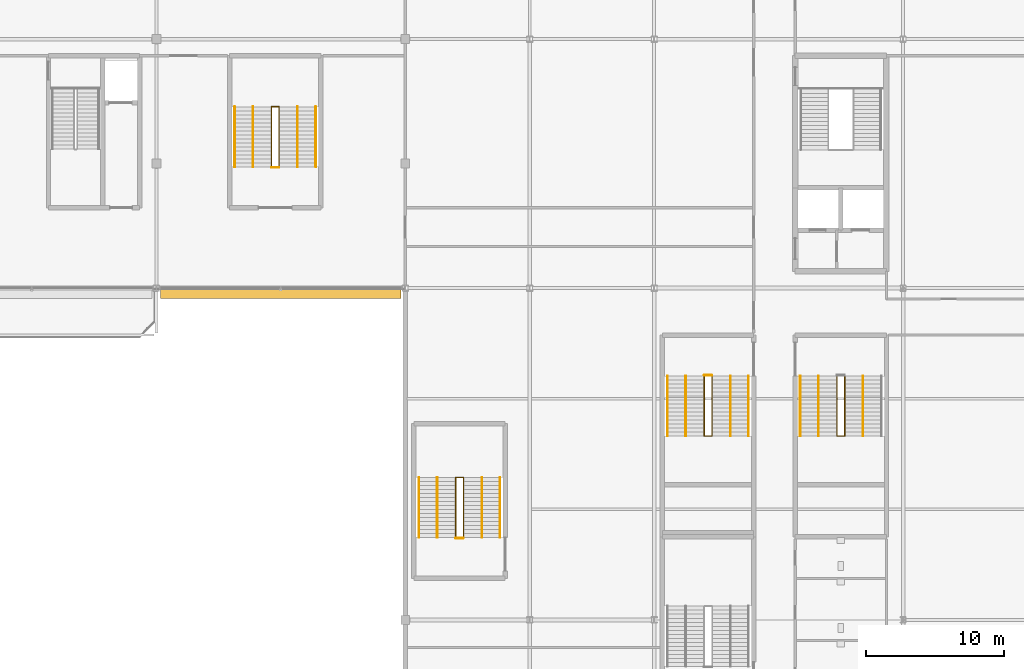
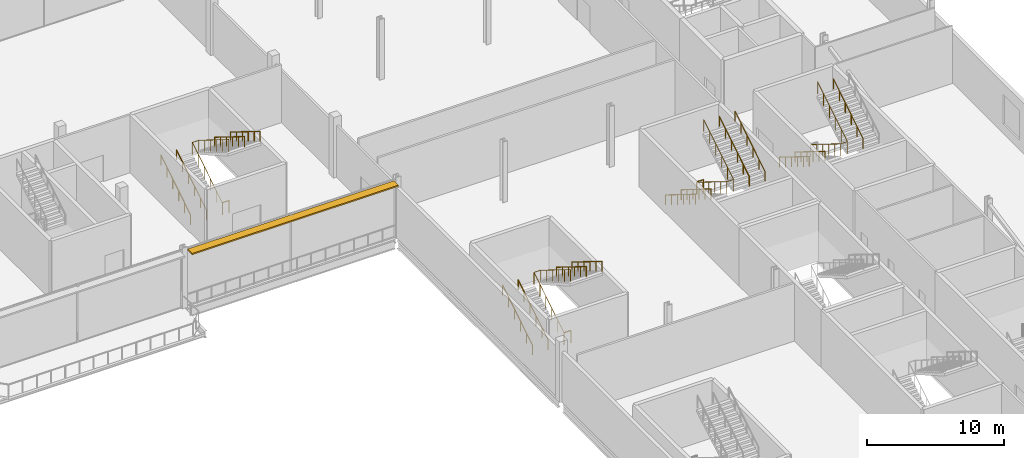
# One storey, part 110 of 113: 22 railings, 1 shading device.
"""IFC4 building model written with IfcOpenShell, lengths in metres."""

from ifc_helpers import new_model, si_unit, direction, frame, origin, origin_2d, place, context, subcontext, project, spatial, rectangle, circle, extrude, material, type_object, element, save


model = new_model("IFC4")

# Units and contexts
model_context = context("Model", 3, precision=1e-05, world=origin(), true_north=direction((0.0, 1.0)))
body_context = subcontext(model_context, "Body", "Model", "MODEL_VIEW")
ifc_project = project(units=[si_unit("LENGTHUNIT", "METRE"), si_unit("AREAUNIT", "SQUARE_METRE"), si_unit("VOLUMEUNIT", "CUBIC_METRE"), si_unit("PLANEANGLEUNIT", "RADIAN"), si_unit("MASSUNIT", "GRAM", prefix="KILO")], contexts=[model_context])

# Site, building, storey
site_placement = place(None, origin())
site = spatial("IfcSite", under=ifc_project, at=site_placement, CompositionType="ELEMENT")
building_placement = place(site_placement, origin())
building = spatial("IfcBuilding", under=site, at=building_placement, Name="Kisiwana Market Hall", CompositionType="ELEMENT")
storey_placement = place(building_placement, frame((0.0, 0.0, 6.0)))
storey = spatial("IfcBuildingStorey", under=building, at=storey_placement, Name="L01", CompositionType="ELEMENT", Elevation=6.0)

# Railings
ifc_material_1 = material(Name="Steel S275", Category="steel")
railing_type_1 = type_object("IfcRailingType", Name="RL-GUARD-1100", PredefinedType="GUARDRAIL", material=ifc_material_1)
railing_1_placement = place(storey_placement, frame((184.219970703125, 77.639892578125, 0.0)))
element("IfcRailing", 1, at=railing_1_placement, inside=storey, type_object=railing_type_1, Name="Stair ST-E4-L01 inner-well guardrail (RL-361)", PredefinedType="GUARDRAIL", context=body_context, shape_type="SweptSolid", body=[
    extrude(circle(Radius=0.02392578125, at=origin_2d()), frame((0.0, 0.0, 1.076171875), z_axis=(0.0, -0.849636482215, 0.527368797038), x_axis=(1.0, 0.0, 0.0)), (0.0, 0.0, 1.0), 5.11962890625),
    extrude(circle(Radius=0.02392578125, at=origin_2d()), frame((0.0, -4.349853515625, 3.77587890625), z_axis=(1.0, 0.0, 0.0), x_axis=(0.0, 1.0, 0.0)), (0.0, 0.0, 1.0), 0.56005859375),
    extrude(circle(Radius=0.02392578125, at=origin_2d()), frame((0.56005859375, -4.349853515625, 3.77587890625), z_axis=(0.0, 0.849636482215, 0.527368797038), x_axis=(-1.0, 0.0, 0.0)), (0.0, 0.0, 1.0), 5.11962890625),
    extrude(circle(Radius=0.02099609375, at=origin_2d()), origin(), (0.0, 0.0, 1.0), 1.052001953125),
    extrude(circle(Radius=0.02099609375, at=origin_2d()), frame((0.0, -0.869873046875, 0.5400390625)), (0.0, 0.0, 1.0), 1.052001953125),
    extrude(circle(Radius=0.02099609375, at=origin_2d()), frame((0.0, -1.739990234375, 1.080078125)), (0.0, 0.0, 1.0), 1.052001953125),
    extrude(circle(Radius=0.02099609375, at=origin_2d()), frame((0.0, -2.60986328125, 1.619873046875)), (0.0, 0.0, 1.0), 1.052001953125),
    extrude(circle(Radius=0.02099609375, at=origin_2d()), frame((0.0, -3.47998046875, 2.159912109375)), (0.0, 0.0, 1.0), 1.052001953125),
    extrude(circle(Radius=0.02099609375, at=origin_2d()), frame((0.0, -4.349853515625, 2.699951171875)), (0.0, 0.0, 1.0), 1.052001953125),
    extrude(circle(Radius=0.02099609375, at=origin_2d()), frame((0.56005859375, -4.349853515625, 2.699951171875)), (0.0, 0.0, 1.0), 1.052001953125),
    extrude(circle(Radius=0.02099609375, at=origin_2d()), frame((0.56005859375, -3.47998046875, 3.239990234375)), (0.0, 0.0, 1.0), 1.052001953125),
    extrude(circle(Radius=0.02099609375, at=origin_2d()), frame((0.56005859375, -2.60986328125, 3.780029296875)), (0.0, 0.0, 1.0), 1.052001953125),
    extrude(circle(Radius=0.02099609375, at=origin_2d()), frame((0.56005859375, -1.739990234375, 4.31982421875)), (0.0, 0.0, 1.0), 1.052001953125),
    extrude(circle(Radius=0.02099609375, at=origin_2d()), frame((0.56005859375, -0.869873046875, 4.85986328125)), (0.0, 0.0, 1.0), 1.052001953125),
    extrude(circle(Radius=0.02099609375, at=origin_2d()), frame((0.56005859375, 0.0, 5.39990234375)), (0.0, 0.0, 1.0), 1.052001953125),
])
railing_2_placement = place(storey_placement, frame((174.6201171875, 77.639892578125, 0.0)))
element("IfcRailing", 2, at=railing_2_placement, inside=storey, type_object=railing_type_1, Name="Stair ST-E8-L01 inner-well guardrail (RL-385)", PredefinedType="GUARDRAIL", context=body_context, shape_type="SweptSolid", body=[
    extrude(circle(Radius=0.02392578125, at=origin_2d()), frame((0.0, 0.0, 1.076171875), z_axis=(0.0, -0.849636482215, 0.527368797038), x_axis=(1.0, 0.0, 0.0)), (0.0, 0.0, 1.0), 5.11962890625),
    extrude(circle(Radius=0.02392578125, at=origin_2d()), frame((0.0, -4.349853515625, 3.77587890625), z_axis=(1.0, 0.0, 0.0), x_axis=(0.0, 1.0, 0.0)), (0.0, 0.0, 1.0), 0.559814453125),
    extrude(circle(Radius=0.02392578125, at=origin_2d()), frame((0.559814453125, -4.349853515625, 3.77587890625), z_axis=(0.0, 0.849636482215, 0.527368797038), x_axis=(-1.0, 0.0, 0.0)), (0.0, 0.0, 1.0), 5.11962890625),
    extrude(circle(Radius=0.02099609375, at=origin_2d()), origin(), (0.0, 0.0, 1.0), 1.052001953125),
    extrude(circle(Radius=0.02099609375, at=origin_2d()), frame((0.0, -0.869873046875, 0.5400390625)), (0.0, 0.0, 1.0), 1.052001953125),
    extrude(circle(Radius=0.02099609375, at=origin_2d()), frame((0.0, -1.739990234375, 1.080078125)), (0.0, 0.0, 1.0), 1.052001953125),
    extrude(circle(Radius=0.02099609375, at=origin_2d()), frame((0.0, -2.60986328125, 1.619873046875)), (0.0, 0.0, 1.0), 1.052001953125),
    extrude(circle(Radius=0.02099609375, at=origin_2d()), frame((0.0, -3.47998046875, 2.159912109375)), (0.0, 0.0, 1.0), 1.052001953125),
    extrude(circle(Radius=0.02099609375, at=origin_2d()), frame((0.0, -4.349853515625, 2.699951171875)), (0.0, 0.0, 1.0), 1.052001953125),
    extrude(circle(Radius=0.02099609375, at=origin_2d()), frame((0.559814453125, -4.349853515625, 2.699951171875)), (0.0, 0.0, 1.0), 1.052001953125),
    extrude(circle(Radius=0.02099609375, at=origin_2d()), frame((0.559814453125, -3.47998046875, 3.239990234375)), (0.0, 0.0, 1.0), 1.052001953125),
    extrude(circle(Radius=0.02099609375, at=origin_2d()), frame((0.559814453125, -2.60986328125, 3.780029296875)), (0.0, 0.0, 1.0), 1.052001953125),
    extrude(circle(Radius=0.02099609375, at=origin_2d()), frame((0.559814453125, -1.739990234375, 4.31982421875)), (0.0, 0.0, 1.0), 1.052001953125),
    extrude(circle(Radius=0.02099609375, at=origin_2d()), frame((0.559814453125, -0.869873046875, 4.85986328125)), (0.0, 0.0, 1.0), 1.052001953125),
    extrude(circle(Radius=0.02099609375, at=origin_2d()), frame((0.559814453125, 0.0, 5.39990234375)), (0.0, 0.0, 1.0), 1.052001953125),
])
railing_3_placement = place(storey_placement, frame((174.6201171875, 77.68994140625, 0.0)))
element("IfcRailing", 3, at=railing_3_placement, inside=storey, type_object=railing_type_1, Name="Stair ST-E8-L01 landing edge guardrail (RL-390)", PredefinedType="GUARDRAIL", context=body_context, shape_type="SweptSolid", body=[
    extrude(circle(Radius=0.02392578125, at=origin_2d()), frame((0.0, 0.0, 1.076171875), z_axis=(1.0, 0.0, 0.0), x_axis=(0.0, 1.0, 0.0)), (0.0, 0.0, 1.0), 0.559814453125),
    extrude(circle(Radius=0.02099609375, at=origin_2d()), origin(), (0.0, 0.0, 1.0), 1.052001953125),
    extrude(circle(Radius=0.02099609375, at=origin_2d()), frame((0.559814453125, 0.0, 0.0)), (0.0, 0.0, 1.0), 1.052001953125),
])
railing_4_placement = place(storey_placement, frame((156.64990234375, 65.9599609375, 0.0)))
element("IfcRailing", 4, at=railing_4_placement, inside=storey, type_object=railing_type_1, Name="Stair ST-E10-L01 inner-well guardrail (RL-409)", PredefinedType="GUARDRAIL", context=body_context, shape_type="SweptSolid", body=[
    extrude(circle(Radius=0.02392578125, at=origin_2d()), frame((0.0, 0.0, 1.076171875), z_axis=(0.0, 0.849649743971, 0.527347430608), x_axis=(-1.0, 0.0, 0.0)), (0.0, 0.0, 1.0), 5.119873046875),
    extrude(circle(Radius=0.02392578125, at=origin_2d()), frame((0.0, 4.35009765625, 3.77587890625), z_axis=(1.0, 0.0, 0.0), x_axis=(0.0, 1.0, 0.0)), (0.0, 0.0, 1.0), 0.56005859375),
    extrude(circle(Radius=0.02392578125, at=origin_2d()), frame((0.56005859375, 4.35009765625, 3.77587890625), z_axis=(0.0, -0.849649743971, 0.527347430608), x_axis=(1.0, 0.0, 0.0)), (0.0, 0.0, 1.0), 5.119873046875),
    extrude(circle(Radius=0.02099609375, at=origin_2d()), origin(), (0.0, 0.0, 1.0), 1.052001953125),
    extrude(circle(Radius=0.02099609375, at=origin_2d()), frame((0.0, 0.8701171875, 0.5400390625)), (0.0, 0.0, 1.0), 1.052001953125),
    extrude(circle(Radius=0.02099609375, at=origin_2d()), frame((0.0, 1.739990234375, 1.080078125)), (0.0, 0.0, 1.0), 1.052001953125),
    extrude(circle(Radius=0.02099609375, at=origin_2d()), frame((0.0, 2.610107421875, 1.619873046875)), (0.0, 0.0, 1.0), 1.052001953125),
    extrude(circle(Radius=0.02099609375, at=origin_2d()), frame((0.0, 3.47998046875, 2.159912109375)), (0.0, 0.0, 1.0), 1.052001953125),
    extrude(circle(Radius=0.02099609375, at=origin_2d()), frame((0.0, 4.35009765625, 2.699951171875)), (0.0, 0.0, 1.0), 1.052001953125),
    extrude(circle(Radius=0.02099609375, at=origin_2d()), frame((0.56005859375, 4.35009765625, 2.699951171875)), (0.0, 0.0, 1.0), 1.052001953125),
    extrude(circle(Radius=0.02099609375, at=origin_2d()), frame((0.56005859375, 3.47998046875, 3.239990234375)), (0.0, 0.0, 1.0), 1.052001953125),
    extrude(circle(Radius=0.02099609375, at=origin_2d()), frame((0.56005859375, 2.610107421875, 3.780029296875)), (0.0, 0.0, 1.0), 1.052001953125),
    extrude(circle(Radius=0.02099609375, at=origin_2d()), frame((0.56005859375, 1.739990234375, 4.31982421875)), (0.0, 0.0, 1.0), 1.052001953125),
    extrude(circle(Radius=0.02099609375, at=origin_2d()), frame((0.56005859375, 0.8701171875, 4.85986328125)), (0.0, 0.0, 1.0), 1.052001953125),
    extrude(circle(Radius=0.02099609375, at=origin_2d()), frame((0.56005859375, 0.0, 5.39990234375)), (0.0, 0.0, 1.0), 1.052001953125),
])
railing_5_placement = place(storey_placement, frame((156.64990234375, 65.909912109375, 0.0)))
element("IfcRailing", 5, at=railing_5_placement, inside=storey, type_object=railing_type_1, Name="Stair ST-E10-L01 landing edge guardrail (RL-414)", PredefinedType="GUARDRAIL", context=body_context, shape_type="SweptSolid", body=[
    extrude(circle(Radius=0.02392578125, at=origin_2d()), frame((0.0, 0.0, 1.076171875), z_axis=(1.0, 0.0, 0.0), x_axis=(0.0, 1.0, 0.0)), (0.0, 0.0, 1.0), 0.56005859375),
    extrude(circle(Radius=0.02099609375, at=origin_2d()), origin(), (0.0, 0.0, 1.0), 1.052001953125),
    extrude(circle(Radius=0.02099609375, at=origin_2d()), frame((0.56005859375, 0.0, 0.0)), (0.0, 0.0, 1.0), 1.052001953125),
])
railing_6_placement = place(storey_placement, frame((143.320068359375, 92.760009765625, 0.0)))
element("IfcRailing", 6, at=railing_6_placement, inside=storey, type_object=railing_type_1, Name="Stair ST-N6-L01 inner-well guardrail (RL-469)", PredefinedType="GUARDRAIL", context=body_context, shape_type="SweptSolid", body=[
    extrude(circle(Radius=0.02392578125, at=origin_2d()), frame((0.0, 0.0, 1.076171875), z_axis=(0.0, 0.849649743971, 0.527347430608), x_axis=(-1.0, 0.0, 0.0)), (0.0, 0.0, 1.0), 5.119873046875),
    extrude(circle(Radius=0.02392578125, at=origin_2d()), frame((0.0, 4.35009765625, 3.77587890625), z_axis=(1.0, 0.0, 0.0), x_axis=(0.0, 1.0, 0.0)), (0.0, 0.0, 1.0), 0.559814453125),
    extrude(circle(Radius=0.02392578125, at=origin_2d()), frame((0.559814453125, 4.35009765625, 3.77587890625), z_axis=(0.0, -0.849649743971, 0.527347430608), x_axis=(1.0, 0.0, 0.0)), (0.0, 0.0, 1.0), 5.119873046875),
    extrude(circle(Radius=0.02099609375, at=origin_2d()), origin(), (0.0, 0.0, 1.0), 1.052001953125),
    extrude(circle(Radius=0.02099609375, at=origin_2d()), frame((0.0, 0.8701171875, 0.5400390625)), (0.0, 0.0, 1.0), 1.052001953125),
    extrude(circle(Radius=0.02099609375, at=origin_2d()), frame((0.0, 1.739990234375, 1.080078125)), (0.0, 0.0, 1.0), 1.052001953125),
    extrude(circle(Radius=0.02099609375, at=origin_2d()), frame((0.0, 2.610107421875, 1.619873046875)), (0.0, 0.0, 1.0), 1.052001953125),
    extrude(circle(Radius=0.02099609375, at=origin_2d()), frame((0.0, 3.47998046875, 2.159912109375)), (0.0, 0.0, 1.0), 1.052001953125),
    extrude(circle(Radius=0.02099609375, at=origin_2d()), frame((0.0, 4.35009765625, 2.699951171875)), (0.0, 0.0, 1.0), 1.052001953125),
    extrude(circle(Radius=0.02099609375, at=origin_2d()), frame((0.559814453125, 4.35009765625, 2.699951171875)), (0.0, 0.0, 1.0), 1.052001953125),
    extrude(circle(Radius=0.02099609375, at=origin_2d()), frame((0.559814453125, 3.47998046875, 3.239990234375)), (0.0, 0.0, 1.0), 1.052001953125),
    extrude(circle(Radius=0.02099609375, at=origin_2d()), frame((0.559814453125, 2.610107421875, 3.780029296875)), (0.0, 0.0, 1.0), 1.052001953125),
    extrude(circle(Radius=0.02099609375, at=origin_2d()), frame((0.559814453125, 1.739990234375, 4.31982421875)), (0.0, 0.0, 1.0), 1.052001953125),
    extrude(circle(Radius=0.02099609375, at=origin_2d()), frame((0.559814453125, 0.8701171875, 4.85986328125)), (0.0, 0.0, 1.0), 1.052001953125),
    extrude(circle(Radius=0.02099609375, at=origin_2d()), frame((0.559814453125, 0.0, 5.39990234375)), (0.0, 0.0, 1.0), 1.052001953125),
])
railing_7_placement = place(storey_placement, frame((143.320068359375, 92.7099609375, 0.0)))
element("IfcRailing", 7, at=railing_7_placement, inside=storey, type_object=railing_type_1, Name="Stair ST-N6-L01 landing edge guardrail (RL-474)", PredefinedType="GUARDRAIL", context=body_context, shape_type="SweptSolid", body=[
    extrude(circle(Radius=0.02392578125, at=origin_2d()), frame((0.0, 0.0, 1.076171875), z_axis=(1.0, 0.0, 0.0), x_axis=(0.0, 1.0, 0.0)), (0.0, 0.0, 1.0), 0.559814453125),
    extrude(circle(Radius=0.02099609375, at=origin_2d()), origin(), (0.0, 0.0, 1.0), 1.052001953125),
    extrude(circle(Radius=0.02099609375, at=origin_2d()), frame((0.559814453125, 0.0, 0.0)), (0.0, 0.0, 1.0), 1.052001953125),
])
ifc_material_2 = material(Name="Steel S275", Category="steel")
railing_type_2 = type_object("IfcRailingType", Name="RL-HAND-900", PredefinedType="HANDRAIL", material=ifc_material_2)
for number, where, name in (
    (8, (181.570068359375, 77.639892578125, 0.0), "Stair ST-E4-L01 flight 1 handrail (RL-362)"),
    (9, (182.889892578125, 77.639892578125, 0.0), "Stair ST-E4-L01 flight 1 intermediate handrail (RL-364)"),
):
    element("IfcRailing", number, at=place(storey_placement, frame(where)), inside=storey, type_object=railing_type_2, Name=name, PredefinedType="HANDRAIL", context=body_context, shape_type="SweptSolid", body=[
        extrude(circle(Radius=0.02392578125, at=origin_2d()), frame((0.0, 0.0, 0.8759765625), z_axis=(0.0, -0.849636482215, 0.527368797038), x_axis=(1.0, 0.0, 0.0)), (0.0, 0.0, 1.0), 5.11962890625),
        extrude(circle(Radius=0.02099609375, at=origin_2d()), origin(), (0.0, 0.0, 1.0), 0.851806640625),
        extrude(circle(Radius=0.02099609375, at=origin_2d()), frame((0.0, -0.869873046875, 0.5400390625)), (0.0, 0.0, 1.0), 0.851806640625),
        extrude(circle(Radius=0.02099609375, at=origin_2d()), frame((0.0, -1.739990234375, 1.080078125)), (0.0, 0.0, 1.0), 0.851806640625),
        extrude(circle(Radius=0.02099609375, at=origin_2d()), frame((0.0, -2.60986328125, 1.619873046875)), (0.0, 0.0, 1.0), 0.851806640625),
        extrude(circle(Radius=0.02099609375, at=origin_2d()), frame((0.0, -3.47998046875, 2.159912109375)), (0.0, 0.0, 1.0), 0.851806640625),
        extrude(circle(Radius=0.02099609375, at=origin_2d()), frame((0.0, -4.349853515625, 2.699951171875)), (0.0, 0.0, 1.0), 0.851806640625),
    ])
railing_8_placement = place(storey_placement, frame((186.110107421875, 73.2900390625, 2.699951171875)))
element("IfcRailing", 10, at=railing_8_placement, inside=storey, type_object=railing_type_2, Name="Stair ST-E4-L01 flight 2 intermediate handrail (RL-365)", PredefinedType="HANDRAIL", context=body_context, shape_type="SweptSolid", body=[
    extrude(circle(Radius=0.02392578125, at=origin_2d()), frame((0.0, 0.0, 0.8759765625), z_axis=(0.0, 0.849636482215, 0.527368797038), x_axis=(-1.0, 0.0, 0.0)), (0.0, 0.0, 1.0), 5.11962890625),
    extrude(circle(Radius=0.02099609375, at=origin_2d()), origin(), (0.0, 0.0, 1.0), 0.851806640625),
    extrude(circle(Radius=0.02099609375, at=origin_2d()), frame((0.0, 0.869873046875, 0.5400390625)), (0.0, 0.0, 1.0), 0.851806640625),
    extrude(circle(Radius=0.02099609375, at=origin_2d()), frame((0.0, 1.739990234375, 1.080078125)), (0.0, 0.0, 1.0), 0.851806640625),
    extrude(circle(Radius=0.02099609375, at=origin_2d()), frame((0.0, 2.60986328125, 1.619873046875)), (0.0, 0.0, 1.0), 0.851806640625),
    extrude(circle(Radius=0.02099609375, at=origin_2d()), frame((0.0, 3.47998046875, 2.159912109375)), (0.0, 0.0, 1.0), 0.851806640625),
    extrude(circle(Radius=0.02099609375, at=origin_2d()), frame((0.0, 4.349853515625, 2.699951171875)), (0.0, 0.0, 1.0), 0.851806640625),
])
railing_9_placement = place(storey_placement, frame((171.969970703125, 77.639892578125, 0.0)))
element("IfcRailing", 11, at=railing_9_placement, inside=storey, type_object=railing_type_2, Name="Stair ST-E8-L01 flight 1 handrail (RL-386)", PredefinedType="HANDRAIL", context=body_context, shape_type="SweptSolid", body=[
    extrude(circle(Radius=0.02392578125, at=origin_2d()), frame((0.0, 0.0, 0.8759765625), z_axis=(0.0, -0.849636482215, 0.527368797038), x_axis=(1.0, 0.0, 0.0)), (0.0, 0.0, 1.0), 5.11962890625),
    extrude(circle(Radius=0.02099609375, at=origin_2d()), origin(), (0.0, 0.0, 1.0), 0.851806640625),
    extrude(circle(Radius=0.02099609375, at=origin_2d()), frame((0.0, -0.869873046875, 0.5400390625)), (0.0, 0.0, 1.0), 0.851806640625),
    extrude(circle(Radius=0.02099609375, at=origin_2d()), frame((0.0, -1.739990234375, 1.080078125)), (0.0, 0.0, 1.0), 0.851806640625),
    extrude(circle(Radius=0.02099609375, at=origin_2d()), frame((0.0, -2.60986328125, 1.619873046875)), (0.0, 0.0, 1.0), 0.851806640625),
    extrude(circle(Radius=0.02099609375, at=origin_2d()), frame((0.0, -3.47998046875, 2.159912109375)), (0.0, 0.0, 1.0), 0.851806640625),
    extrude(circle(Radius=0.02099609375, at=origin_2d()), frame((0.0, -4.349853515625, 2.699951171875)), (0.0, 0.0, 1.0), 0.851806640625),
])
railing_10_placement = place(storey_placement, frame((177.830078125, 73.2900390625, 2.699951171875)))
element("IfcRailing", 12, at=railing_10_placement, inside=storey, type_object=railing_type_2, Name="Stair ST-E8-L01 flight 2 handrail (RL-387)", PredefinedType="HANDRAIL", context=body_context, shape_type="SweptSolid", body=[
    extrude(circle(Radius=0.02392578125, at=origin_2d()), frame((0.0, 0.0, 0.8759765625), z_axis=(0.0, 0.849636482215, 0.527368797038), x_axis=(-1.0, 0.0, 0.0)), (0.0, 0.0, 1.0), 5.11962890625),
    extrude(circle(Radius=0.02099609375, at=origin_2d()), origin(), (0.0, 0.0, 1.0), 0.851806640625),
    extrude(circle(Radius=0.02099609375, at=origin_2d()), frame((0.0, 0.869873046875, 0.5400390625)), (0.0, 0.0, 1.0), 0.851806640625),
    extrude(circle(Radius=0.02099609375, at=origin_2d()), frame((0.0, 1.739990234375, 1.080078125)), (0.0, 0.0, 1.0), 0.851806640625),
    extrude(circle(Radius=0.02099609375, at=origin_2d()), frame((0.0, 2.60986328125, 1.619873046875)), (0.0, 0.0, 1.0), 0.851806640625),
    extrude(circle(Radius=0.02099609375, at=origin_2d()), frame((0.0, 3.47998046875, 2.159912109375)), (0.0, 0.0, 1.0), 0.851806640625),
    extrude(circle(Radius=0.02099609375, at=origin_2d()), frame((0.0, 4.349853515625, 2.699951171875)), (0.0, 0.0, 1.0), 0.851806640625),
])
railing_11_placement = place(storey_placement, frame((173.2900390625, 77.639892578125, 0.0)))
element("IfcRailing", 13, at=railing_11_placement, inside=storey, type_object=railing_type_2, Name="Stair ST-E8-L01 flight 1 intermediate handrail (RL-388)", PredefinedType="HANDRAIL", context=body_context, shape_type="SweptSolid", body=[
    extrude(circle(Radius=0.02392578125, at=origin_2d()), frame((0.0, 0.0, 0.8759765625), z_axis=(0.0, -0.849636482215, 0.527368797038), x_axis=(1.0, 0.0, 0.0)), (0.0, 0.0, 1.0), 5.11962890625),
    extrude(circle(Radius=0.02099609375, at=origin_2d()), origin(), (0.0, 0.0, 1.0), 0.851806640625),
    extrude(circle(Radius=0.02099609375, at=origin_2d()), frame((0.0, -0.869873046875, 0.5400390625)), (0.0, 0.0, 1.0), 0.851806640625),
    extrude(circle(Radius=0.02099609375, at=origin_2d()), frame((0.0, -1.739990234375, 1.080078125)), (0.0, 0.0, 1.0), 0.851806640625),
    extrude(circle(Radius=0.02099609375, at=origin_2d()), frame((0.0, -2.60986328125, 1.619873046875)), (0.0, 0.0, 1.0), 0.851806640625),
    extrude(circle(Radius=0.02099609375, at=origin_2d()), frame((0.0, -3.47998046875, 2.159912109375)), (0.0, 0.0, 1.0), 0.851806640625),
    extrude(circle(Radius=0.02099609375, at=origin_2d()), frame((0.0, -4.349853515625, 2.699951171875)), (0.0, 0.0, 1.0), 0.851806640625),
])
railing_12_placement = place(storey_placement, frame((176.510009765625, 73.2900390625, 2.699951171875)))
element("IfcRailing", 14, at=railing_12_placement, inside=storey, type_object=railing_type_2, Name="Stair ST-E8-L01 flight 2 intermediate handrail (RL-389)", PredefinedType="HANDRAIL", context=body_context, shape_type="SweptSolid", body=[
    extrude(circle(Radius=0.02392578125, at=origin_2d()), frame((0.0, 0.0, 0.8759765625), z_axis=(0.0, 0.849636482215, 0.527368797038), x_axis=(-1.0, 0.0, 0.0)), (0.0, 0.0, 1.0), 5.11962890625),
    extrude(circle(Radius=0.02099609375, at=origin_2d()), origin(), (0.0, 0.0, 1.0), 0.851806640625),
    extrude(circle(Radius=0.02099609375, at=origin_2d()), frame((0.0, 0.869873046875, 0.5400390625)), (0.0, 0.0, 1.0), 0.851806640625),
    extrude(circle(Radius=0.02099609375, at=origin_2d()), frame((0.0, 1.739990234375, 1.080078125)), (0.0, 0.0, 1.0), 0.851806640625),
    extrude(circle(Radius=0.02099609375, at=origin_2d()), frame((0.0, 2.60986328125, 1.619873046875)), (0.0, 0.0, 1.0), 0.851806640625),
    extrude(circle(Radius=0.02099609375, at=origin_2d()), frame((0.0, 3.47998046875, 2.159912109375)), (0.0, 0.0, 1.0), 0.851806640625),
    extrude(circle(Radius=0.02099609375, at=origin_2d()), frame((0.0, 4.349853515625, 2.699951171875)), (0.0, 0.0, 1.0), 0.851806640625),
])
railing_13_placement = place(storey_placement, frame((154.0, 65.9599609375, 0.0)))
element("IfcRailing", 15, at=railing_13_placement, inside=storey, type_object=railing_type_2, Name="Stair ST-E10-L01 flight 1 handrail (RL-410)", PredefinedType="HANDRAIL", context=body_context, shape_type="SweptSolid", body=[
    extrude(circle(Radius=0.02392578125, at=origin_2d()), frame((0.0, 0.0, 0.8759765625), z_axis=(0.0, 0.849649743971, 0.527347430608), x_axis=(-1.0, 0.0, 0.0)), (0.0, 0.0, 1.0), 5.119873046875),
    extrude(circle(Radius=0.02099609375, at=origin_2d()), origin(), (0.0, 0.0, 1.0), 0.851806640625),
    extrude(circle(Radius=0.02099609375, at=origin_2d()), frame((0.0, 0.8701171875, 0.5400390625)), (0.0, 0.0, 1.0), 0.851806640625),
    extrude(circle(Radius=0.02099609375, at=origin_2d()), frame((0.0, 1.739990234375, 1.080078125)), (0.0, 0.0, 1.0), 0.851806640625),
    extrude(circle(Radius=0.02099609375, at=origin_2d()), frame((0.0, 2.610107421875, 1.619873046875)), (0.0, 0.0, 1.0), 0.851806640625),
    extrude(circle(Radius=0.02099609375, at=origin_2d()), frame((0.0, 3.47998046875, 2.159912109375)), (0.0, 0.0, 1.0), 0.851806640625),
    extrude(circle(Radius=0.02099609375, at=origin_2d()), frame((0.0, 4.35009765625, 2.699951171875)), (0.0, 0.0, 1.0), 0.851806640625),
])
railing_14_placement = place(storey_placement, frame((159.860107421875, 70.31005859375, 2.699951171875)))
element("IfcRailing", 16, at=railing_14_placement, inside=storey, type_object=railing_type_2, Name="Stair ST-E10-L01 flight 2 handrail (RL-411)", PredefinedType="HANDRAIL", context=body_context, shape_type="SweptSolid", body=[
    extrude(circle(Radius=0.02392578125, at=origin_2d()), frame((0.0, 0.0, 0.8759765625), z_axis=(0.0, -0.849649743971, 0.527347430608), x_axis=(1.0, 0.0, 0.0)), (0.0, 0.0, 1.0), 5.119873046875),
    extrude(circle(Radius=0.02099609375, at=origin_2d()), origin(), (0.0, 0.0, 1.0), 0.851806640625),
    extrude(circle(Radius=0.02099609375, at=origin_2d()), frame((0.0, -0.8701171875, 0.5400390625)), (0.0, 0.0, 1.0), 0.851806640625),
    extrude(circle(Radius=0.02099609375, at=origin_2d()), frame((0.0, -1.739990234375, 1.080078125)), (0.0, 0.0, 1.0), 0.851806640625),
    extrude(circle(Radius=0.02099609375, at=origin_2d()), frame((0.0, -2.610107421875, 1.619873046875)), (0.0, 0.0, 1.0), 0.851806640625),
    extrude(circle(Radius=0.02099609375, at=origin_2d()), frame((0.0, -3.47998046875, 2.159912109375)), (0.0, 0.0, 1.0), 0.851806640625),
    extrude(circle(Radius=0.02099609375, at=origin_2d()), frame((0.0, -4.35009765625, 2.699951171875)), (0.0, 0.0, 1.0), 0.851806640625),
])
railing_15_placement = place(storey_placement, frame((155.320068359375, 65.9599609375, 0.0)))
element("IfcRailing", 17, at=railing_15_placement, inside=storey, type_object=railing_type_2, Name="Stair ST-E10-L01 flight 1 intermediate handrail (RL-412)", PredefinedType="HANDRAIL", context=body_context, shape_type="SweptSolid", body=[
    extrude(circle(Radius=0.02392578125, at=origin_2d()), frame((0.0, 0.0, 0.8759765625), z_axis=(0.0, 0.849649743971, 0.527347430608), x_axis=(-1.0, 0.0, 0.0)), (0.0, 0.0, 1.0), 5.119873046875),
    extrude(circle(Radius=0.02099609375, at=origin_2d()), origin(), (0.0, 0.0, 1.0), 0.851806640625),
    extrude(circle(Radius=0.02099609375, at=origin_2d()), frame((0.0, 0.8701171875, 0.5400390625)), (0.0, 0.0, 1.0), 0.851806640625),
    extrude(circle(Radius=0.02099609375, at=origin_2d()), frame((0.0, 1.739990234375, 1.080078125)), (0.0, 0.0, 1.0), 0.851806640625),
    extrude(circle(Radius=0.02099609375, at=origin_2d()), frame((0.0, 2.610107421875, 1.619873046875)), (0.0, 0.0, 1.0), 0.851806640625),
    extrude(circle(Radius=0.02099609375, at=origin_2d()), frame((0.0, 3.47998046875, 2.159912109375)), (0.0, 0.0, 1.0), 0.851806640625),
    extrude(circle(Radius=0.02099609375, at=origin_2d()), frame((0.0, 4.35009765625, 2.699951171875)), (0.0, 0.0, 1.0), 0.851806640625),
])
railing_16_placement = place(storey_placement, frame((158.5400390625, 70.31005859375, 2.699951171875)))
element("IfcRailing", 18, at=railing_16_placement, inside=storey, type_object=railing_type_2, Name="Stair ST-E10-L01 flight 2 intermediate handrail (RL-413)", PredefinedType="HANDRAIL", context=body_context, shape_type="SweptSolid", body=[
    extrude(circle(Radius=0.02392578125, at=origin_2d()), frame((0.0, 0.0, 0.8759765625), z_axis=(0.0, -0.849649743971, 0.527347430608), x_axis=(1.0, 0.0, 0.0)), (0.0, 0.0, 1.0), 5.119873046875),
    extrude(circle(Radius=0.02099609375, at=origin_2d()), origin(), (0.0, 0.0, 1.0), 0.851806640625),
    extrude(circle(Radius=0.02099609375, at=origin_2d()), frame((0.0, -0.8701171875, 0.5400390625)), (0.0, 0.0, 1.0), 0.851806640625),
    extrude(circle(Radius=0.02099609375, at=origin_2d()), frame((0.0, -1.739990234375, 1.080078125)), (0.0, 0.0, 1.0), 0.851806640625),
    extrude(circle(Radius=0.02099609375, at=origin_2d()), frame((0.0, -2.610107421875, 1.619873046875)), (0.0, 0.0, 1.0), 0.851806640625),
    extrude(circle(Radius=0.02099609375, at=origin_2d()), frame((0.0, -3.47998046875, 2.159912109375)), (0.0, 0.0, 1.0), 0.851806640625),
    extrude(circle(Radius=0.02099609375, at=origin_2d()), frame((0.0, -4.35009765625, 2.699951171875)), (0.0, 0.0, 1.0), 0.851806640625),
])
railing_17_placement = place(storey_placement, frame((140.669921875, 92.760009765625, 0.0)))
element("IfcRailing", 19, at=railing_17_placement, inside=storey, type_object=railing_type_2, Name="Stair ST-N6-L01 flight 1 handrail (RL-470)", PredefinedType="HANDRAIL", context=body_context, shape_type="SweptSolid", body=[
    extrude(circle(Radius=0.02392578125, at=origin_2d()), frame((0.0, 0.0, 0.8759765625), z_axis=(0.0, 0.849649743971, 0.527347430608), x_axis=(-1.0, 0.0, 0.0)), (0.0, 0.0, 1.0), 5.119873046875),
    extrude(circle(Radius=0.02099609375, at=origin_2d()), origin(), (0.0, 0.0, 1.0), 0.851806640625),
    extrude(circle(Radius=0.02099609375, at=origin_2d()), frame((0.0, 0.8701171875, 0.5400390625)), (0.0, 0.0, 1.0), 0.851806640625),
    extrude(circle(Radius=0.02099609375, at=origin_2d()), frame((0.0, 1.739990234375, 1.080078125)), (0.0, 0.0, 1.0), 0.851806640625),
    extrude(circle(Radius=0.02099609375, at=origin_2d()), frame((0.0, 2.610107421875, 1.619873046875)), (0.0, 0.0, 1.0), 0.851806640625),
    extrude(circle(Radius=0.02099609375, at=origin_2d()), frame((0.0, 3.47998046875, 2.159912109375)), (0.0, 0.0, 1.0), 0.851806640625),
    extrude(circle(Radius=0.02099609375, at=origin_2d()), frame((0.0, 4.35009765625, 2.699951171875)), (0.0, 0.0, 1.0), 0.851806640625),
])
railing_18_placement = place(storey_placement, frame((146.530029296875, 97.110107421875, 2.699951171875)))
element("IfcRailing", 20, at=railing_18_placement, inside=storey, type_object=railing_type_2, Name="Stair ST-N6-L01 flight 2 handrail (RL-471)", PredefinedType="HANDRAIL", context=body_context, shape_type="SweptSolid", body=[
    extrude(circle(Radius=0.02392578125, at=origin_2d()), frame((0.0, 0.0, 0.8759765625), z_axis=(0.0, -0.849649743971, 0.527347430608), x_axis=(1.0, 0.0, 0.0)), (0.0, 0.0, 1.0), 5.119873046875),
    extrude(circle(Radius=0.02099609375, at=origin_2d()), origin(), (0.0, 0.0, 1.0), 0.851806640625),
    extrude(circle(Radius=0.02099609375, at=origin_2d()), frame((0.0, -0.8701171875, 0.5400390625)), (0.0, 0.0, 1.0), 0.851806640625),
    extrude(circle(Radius=0.02099609375, at=origin_2d()), frame((0.0, -1.739990234375, 1.080078125)), (0.0, 0.0, 1.0), 0.851806640625),
    extrude(circle(Radius=0.02099609375, at=origin_2d()), frame((0.0, -2.610107421875, 1.619873046875)), (0.0, 0.0, 1.0), 0.851806640625),
    extrude(circle(Radius=0.02099609375, at=origin_2d()), frame((0.0, -3.47998046875, 2.159912109375)), (0.0, 0.0, 1.0), 0.851806640625),
    extrude(circle(Radius=0.02099609375, at=origin_2d()), frame((0.0, -4.35009765625, 2.699951171875)), (0.0, 0.0, 1.0), 0.851806640625),
])
railing_19_placement = place(storey_placement, frame((141.989990234375, 92.760009765625, 0.0)))
element("IfcRailing", 21, at=railing_19_placement, inside=storey, type_object=railing_type_2, Name="Stair ST-N6-L01 flight 1 intermediate handrail (RL-472)", PredefinedType="HANDRAIL", context=body_context, shape_type="SweptSolid", body=[
    extrude(circle(Radius=0.02392578125, at=origin_2d()), frame((0.0, 0.0, 0.8759765625), z_axis=(0.0, 0.849649743971, 0.527347430608), x_axis=(-1.0, 0.0, 0.0)), (0.0, 0.0, 1.0), 5.119873046875),
    extrude(circle(Radius=0.02099609375, at=origin_2d()), origin(), (0.0, 0.0, 1.0), 0.851806640625),
    extrude(circle(Radius=0.02099609375, at=origin_2d()), frame((0.0, 0.8701171875, 0.5400390625)), (0.0, 0.0, 1.0), 0.851806640625),
    extrude(circle(Radius=0.02099609375, at=origin_2d()), frame((0.0, 1.739990234375, 1.080078125)), (0.0, 0.0, 1.0), 0.851806640625),
    extrude(circle(Radius=0.02099609375, at=origin_2d()), frame((0.0, 2.610107421875, 1.619873046875)), (0.0, 0.0, 1.0), 0.851806640625),
    extrude(circle(Radius=0.02099609375, at=origin_2d()), frame((0.0, 3.47998046875, 2.159912109375)), (0.0, 0.0, 1.0), 0.851806640625),
    extrude(circle(Radius=0.02099609375, at=origin_2d()), frame((0.0, 4.35009765625, 2.699951171875)), (0.0, 0.0, 1.0), 0.851806640625),
])
railing_20_placement = place(storey_placement, frame((145.2099609375, 97.110107421875, 2.699951171875)))
element("IfcRailing", 22, at=railing_20_placement, inside=storey, type_object=railing_type_2, Name="Stair ST-N6-L01 flight 2 intermediate handrail (RL-473)", PredefinedType="HANDRAIL", context=body_context, shape_type="SweptSolid", body=[
    extrude(circle(Radius=0.02392578125, at=origin_2d()), frame((0.0, 0.0, 0.8759765625), z_axis=(0.0, -0.849649743971, 0.527347430608), x_axis=(1.0, 0.0, 0.0)), (0.0, 0.0, 1.0), 5.119873046875),
    extrude(circle(Radius=0.02099609375, at=origin_2d()), origin(), (0.0, 0.0, 1.0), 0.851806640625),
    extrude(circle(Radius=0.02099609375, at=origin_2d()), frame((0.0, -0.8701171875, 0.5400390625)), (0.0, 0.0, 1.0), 0.851806640625),
    extrude(circle(Radius=0.02099609375, at=origin_2d()), frame((0.0, -1.739990234375, 1.080078125)), (0.0, 0.0, 1.0), 0.851806640625),
    extrude(circle(Radius=0.02099609375, at=origin_2d()), frame((0.0, -2.610107421875, 1.619873046875)), (0.0, 0.0, 1.0), 0.851806640625),
    extrude(circle(Radius=0.02099609375, at=origin_2d()), frame((0.0, -3.47998046875, 2.159912109375)), (0.0, 0.0, 1.0), 0.851806640625),
    extrude(circle(Radius=0.02099609375, at=origin_2d()), frame((0.0, -4.35009765625, 2.699951171875)), (0.0, 0.0, 1.0), 0.851806640625),
])

# Shading device
ifc_material_3 = material(Name="Aluminium alloy 6063-T6", Category="aluminium")
shading_device_type = type_object("IfcShadingDeviceType", Name="SHD-JALOUSIE-H", PredefinedType="JALOUSIE", material=ifc_material_3)
shading_device_placement = place(storey_placement, frame((144.0, 83.580078125, 4.969970703125), z_axis=(0.0, 0.0, 1.0), x_axis=(1.0, 0.0, 0.0)))
element("IfcShadingDevice", 23, at=shading_device_placement, inside=storey, type_object=shading_device_type, Name="Aluminium brise-soleil louvre SHD-027 SD-027", PredefinedType="JALOUSIE", context=body_context, shape_type="SweptSolid", body=[
    extrude(rectangle(XDim=17.387939453125, YDim=0.64990234375, at=origin_2d()), origin(), (0.0, 0.0, 1.0), 0.1201171875),
])

save(model, "model.ifc")
